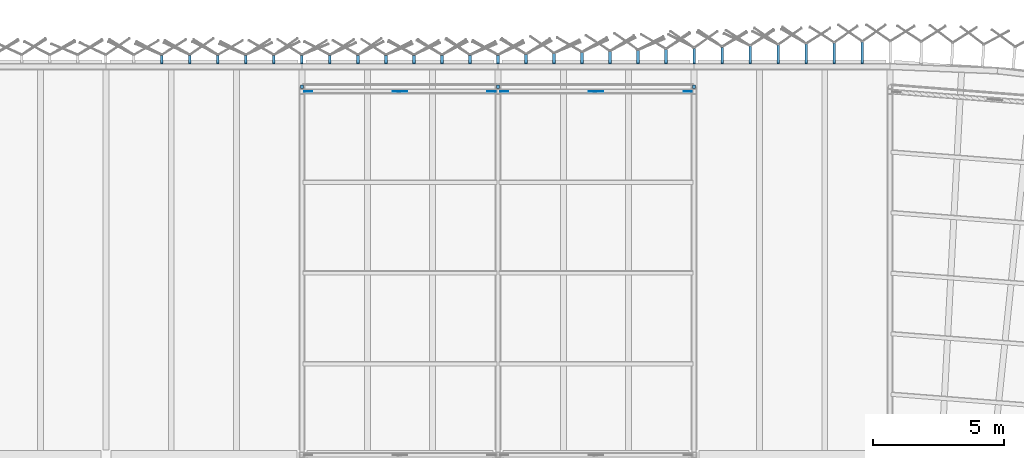
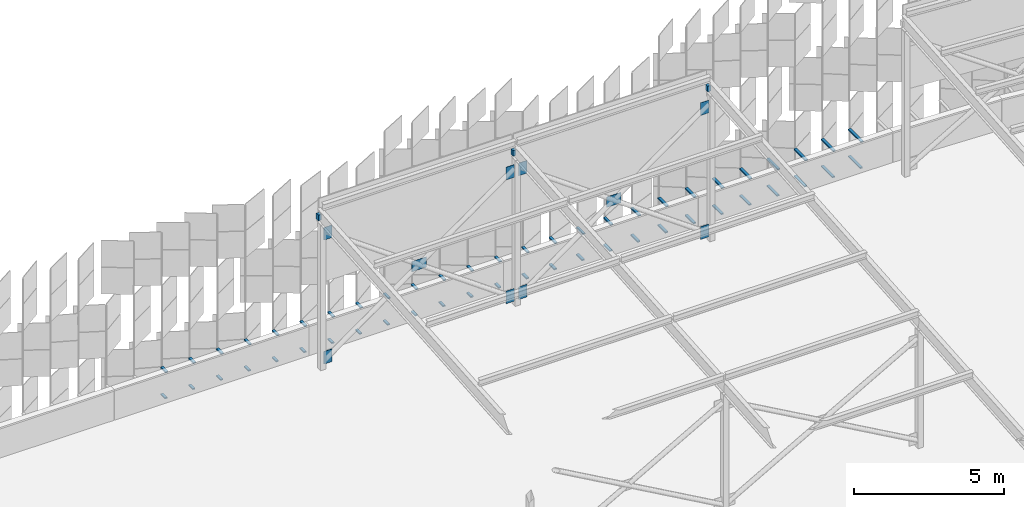
# One storey, part 456 of 483: 65 discrete accessories.
"""IFC4 building model written with IfcOpenShell, lengths in metres."""

from ifc_helpers import new_model, si_unit, direction, frame, origin, origin_2d, place, context, subcontext, project, spatial, polyline, rectangle, outline, extrude, material, layer, layer_set, type_object, element, save


model = new_model("IFC4")

# Units and contexts
model_context = context("Model", 3, precision=1e-05, world=origin(), true_north=direction((0.0, 1.0)))
body_context = subcontext(model_context, "Body", "Model", "MODEL_VIEW")
ifc_project = project(units=[si_unit("LENGTHUNIT", "METRE"), si_unit("AREAUNIT", "SQUARE_METRE"), si_unit("VOLUMEUNIT", "CUBIC_METRE"), si_unit("PLANEANGLEUNIT", "RADIAN"), si_unit("MASSUNIT", "GRAM", prefix="KILO")], contexts=[model_context])

# Site, building, storey
site_placement = place(None, origin())
site = spatial("IfcSite", under=ifc_project, at=site_placement, CompositionType="ELEMENT")
building_placement = place(site_placement, origin())
building = spatial("IfcBuilding", under=site, at=building_placement, Name="Parallax Yard Mobility Hub", CompositionType="ELEMENT")
storey_placement = place(building_placement, frame((0.0, 0.0, 13.199951171875)))
storey = spatial("IfcBuildingStorey", under=building, at=storey_placement, Name="L04", CompositionType="ELEMENT", Elevation=13.199951171875)

# Discrete accessories
ifc_material_1 = material(Name="Steel ASTM A36", Category="steel")
ifc_layer = layer(ifc_material_1, 0.011962890625)
ifc_layer_set = layer_set([ifc_layer], Name="Gusset plate PL12")
discrete_accessory_type_1 = type_object("IfcDiscreteAccessoryType", Name="Gusset plate PL12", PredefinedType="BRACKET", material=ifc_layer_set)
discrete_accessory_1_placement = place(storey_placement, frame((0.0, 0.0, 0.150146484375)))
element("IfcDiscreteAccessory", 1, at=discrete_accessory_1_placement, inside=storey, type_object=discrete_accessory_type_1, Name="Gusset plate PL12 RC bay N-C bay 1 foot on post N-C1", PredefinedType="BRACKET", context=body_context, shape_type="SweptSolid", body=[
    extrude(outline(polyline([(150.08154296875, 141.39404296875), (150.401611328125, 141.39404296875), (150.401611328125, 141.406005859375), (150.08154296875, 141.406005859375), (150.08154296875, 141.39404296875)])), origin(), (0.0, 0.0, 1.0), 0.515380859375),
])
discrete_accessory_2_placement = place(storey_placement, frame((0.0, 0.0, 5.196533203125)))
element("IfcDiscreteAccessory", 2, at=discrete_accessory_2_placement, inside=storey, type_object=discrete_accessory_type_1, Name="Gusset plate PL12 RC bay N-C bay 1 head on post N-C2", PredefinedType="BRACKET", context=body_context, shape_type="SweptSolid", body=[
    extrude(outline(polyline([(157.41845703125, 141.406005859375), (157.098388671875, 141.406005859375), (157.098388671875, 141.39404296875), (157.41845703125, 141.39404296875), (157.41845703125, 141.406005859375)])), origin(), (0.0, 0.0, 1.0), 0.515625),
])
discrete_accessory_3_placement = place(storey_placement, frame((0.0, 0.0, 0.150146484375)))
element("IfcDiscreteAccessory", 3, at=discrete_accessory_3_placement, inside=storey, type_object=discrete_accessory_type_1, Name="Gusset plate PL12 RC bay N-C bay 1 foot on post N-C2", PredefinedType="BRACKET", context=body_context, shape_type="SweptSolid", body=[
    extrude(outline(polyline([(157.41845703125, 141.406005859375), (157.098388671875, 141.406005859375), (157.098388671875, 141.39404296875), (157.41845703125, 141.39404296875), (157.41845703125, 141.406005859375)])), origin(), (0.0, 0.0, 1.0), 0.515380859375),
])
discrete_accessory_4_placement = place(storey_placement, frame((0.0, 0.0, 5.196533203125)))
element("IfcDiscreteAccessory", 4, at=discrete_accessory_4_placement, inside=storey, type_object=discrete_accessory_type_1, Name="Gusset plate PL12 RC bay N-C bay 1 head on post N-C1", PredefinedType="BRACKET", context=body_context, shape_type="SweptSolid", body=[
    extrude(outline(polyline([(150.08154296875, 141.39404296875), (150.401611328125, 141.39404296875), (150.401611328125, 141.406005859375), (150.08154296875, 141.406005859375), (150.08154296875, 141.39404296875)])), origin(), (0.0, 0.0, 1.0), 0.515625),
])
discrete_accessory_5_placement = place(storey_placement, frame((0.0, 0.0, 2.720947265625)))
element("IfcDiscreteAccessory", 5, at=discrete_accessory_5_placement, inside=storey, type_object=discrete_accessory_type_1, Name="Gusset plate PL12 RC bay N-C bay 1 crossing node", PredefinedType="BRACKET", context=body_context, shape_type="SweptSolid", body=[
    extrude(outline(polyline([(153.469970703125, 141.39404296875), (154.030029296875, 141.39404296875), (154.030029296875, 141.406005859375), (153.469970703125, 141.406005859375), (153.469970703125, 141.39404296875)])), origin(), (0.0, 0.0, 1.0), 0.420166015625),
])
discrete_accessory_6_placement = place(storey_placement, frame((0.0, 0.0, 0.150146484375)))
element("IfcDiscreteAccessory", 6, at=discrete_accessory_6_placement, inside=storey, type_object=discrete_accessory_type_1, Name="Gusset plate PL12 RC bay N-C bay 2 foot on post N-C2", PredefinedType="BRACKET", context=body_context, shape_type="SweptSolid", body=[
    extrude(outline(polyline([(157.58154296875, 141.39404296875), (157.901611328125, 141.39404296875), (157.901611328125, 141.406005859375), (157.58154296875, 141.406005859375), (157.58154296875, 141.39404296875)])), origin(), (0.0, 0.0, 1.0), 0.515380859375),
])
discrete_accessory_7_placement = place(storey_placement, frame((0.0, 0.0, 5.196533203125)))
element("IfcDiscreteAccessory", 7, at=discrete_accessory_7_placement, inside=storey, type_object=discrete_accessory_type_1, Name="Gusset plate PL12 RC bay N-C bay 2 head on post N-C3", PredefinedType="BRACKET", context=body_context, shape_type="SweptSolid", body=[
    extrude(outline(polyline([(164.91845703125, 141.406005859375), (164.598388671875, 141.406005859375), (164.598388671875, 141.39404296875), (164.91845703125, 141.39404296875), (164.91845703125, 141.406005859375)])), origin(), (0.0, 0.0, 1.0), 0.515625),
])
discrete_accessory_8_placement = place(storey_placement, frame((0.0, 0.0, 0.150146484375)))
element("IfcDiscreteAccessory", 8, at=discrete_accessory_8_placement, inside=storey, type_object=discrete_accessory_type_1, Name="Gusset plate PL12 RC bay N-C bay 2 foot on post N-C3", PredefinedType="BRACKET", context=body_context, shape_type="SweptSolid", body=[
    extrude(outline(polyline([(164.91845703125, 141.406005859375), (164.598388671875, 141.406005859375), (164.598388671875, 141.39404296875), (164.91845703125, 141.39404296875), (164.91845703125, 141.406005859375)])), origin(), (0.0, 0.0, 1.0), 0.515380859375),
])
discrete_accessory_9_placement = place(storey_placement, frame((0.0, 0.0, 5.196533203125)))
element("IfcDiscreteAccessory", 9, at=discrete_accessory_9_placement, inside=storey, type_object=discrete_accessory_type_1, Name="Gusset plate PL12 RC bay N-C bay 2 head on post N-C2", PredefinedType="BRACKET", context=body_context, shape_type="SweptSolid", body=[
    extrude(outline(polyline([(157.58154296875, 141.39404296875), (157.901611328125, 141.39404296875), (157.901611328125, 141.406005859375), (157.58154296875, 141.406005859375), (157.58154296875, 141.39404296875)])), origin(), (0.0, 0.0, 1.0), 0.515625),
])
discrete_accessory_10_placement = place(storey_placement, frame((0.0, 0.0, 2.720947265625)))
element("IfcDiscreteAccessory", 10, at=discrete_accessory_10_placement, inside=storey, type_object=discrete_accessory_type_1, Name="Gusset plate PL12 RC bay N-C bay 2 crossing node", PredefinedType="BRACKET", context=body_context, shape_type="SweptSolid", body=[
    extrude(outline(polyline([(160.969970703125, 141.39404296875), (161.530029296875, 141.39404296875), (161.530029296875, 141.406005859375), (160.969970703125, 141.406005859375), (160.969970703125, 141.39404296875)])), origin(), (0.0, 0.0, 1.0), 0.420166015625),
])
ifc_material_2 = material(Name="Steel ASTM A36, hot-dip galvanised", Category="steel")
discrete_accessory_type_2 = type_object("IfcDiscreteAccessoryType", Name="Hinge bracket plate 100x50", PredefinedType="BRACKET", material=ifc_material_2)
discrete_accessory_11_placement = place(storey_placement, frame((171.430419921875, 142.8974609375, -0.02490234375), z_axis=(0.0, 0.0, 1.0), x_axis=(0.0, 1.0, 0.0)))
element("IfcDiscreteAccessory", 11, at=discrete_accessory_11_placement, inside=storey, type_object=discrete_accessory_type_2, Name="Hinge bracket plate bay 51.2 level L04", PredefinedType="BRACKET", context=body_context, shape_type="SweptSolid", body=[
    extrude(rectangle(XDim=0.7958984375, YDim=0.10009765625, at=origin_2d()), origin(), (0.0, 0.0, 1.0), 0.050048828125),
])
discrete_accessory_12_placement = place(storey_placement, frame((171.430419921875, 142.87451171875, 1.06982421875), z_axis=(0.0, 0.0, 1.0), x_axis=(0.0, 1.0, 0.0)))
element("IfcDiscreteAccessory", 12, at=discrete_accessory_12_placement, inside=storey, type_object=discrete_accessory_type_2, Name="Hinge bracket plate bay 51.2 level L04", PredefinedType="BRACKET", context=body_context, shape_type="SweptSolid", body=[
    extrude(rectangle(XDim=0.841796875, YDim=0.10009765625, at=origin_2d()), origin(), (0.0, 0.0, 1.0), 0.050048828125),
])
discrete_accessory_13_placement = place(storey_placement, frame((170.35888671875, 142.87744140625, -0.02490234375), z_axis=(0.0, 0.0, 1.0), x_axis=(0.0, 1.0, 0.0)))
element("IfcDiscreteAccessory", 13, at=discrete_accessory_13_placement, inside=storey, type_object=discrete_accessory_type_2, Name="Hinge bracket plate bay 51.3 level L04", PredefinedType="BRACKET", context=body_context, shape_type="SweptSolid", body=[
    extrude(rectangle(XDim=0.755859375, YDim=0.10009765625, at=origin_2d()), origin(), (0.0, 0.0, 1.0), 0.050048828125),
])
discrete_accessory_14_placement = place(storey_placement, frame((170.35888671875, 142.8544921875, 1.06982421875), z_axis=(0.0, 0.0, 1.0), x_axis=(0.0, 1.0, 0.0)))
element("IfcDiscreteAccessory", 14, at=discrete_accessory_14_placement, inside=storey, type_object=discrete_accessory_type_2, Name="Hinge bracket plate bay 51.3 level L04", PredefinedType="BRACKET", context=body_context, shape_type="SweptSolid", body=[
    extrude(rectangle(XDim=0.8017578125, YDim=0.10009765625, at=origin_2d()), origin(), (0.0, 0.0, 1.0), 0.050048828125),
])
discrete_accessory_15_placement = place(storey_placement, frame((169.287109375, 142.857421875, -0.02490234375), z_axis=(0.0, 0.0, 1.0), x_axis=(0.0, 1.0, 0.0)))
element("IfcDiscreteAccessory", 15, at=discrete_accessory_15_placement, inside=storey, type_object=discrete_accessory_type_2, Name="Hinge bracket plate bay 51.4 level L04", PredefinedType="BRACKET", context=body_context, shape_type="SweptSolid", body=[
    extrude(rectangle(XDim=0.7158203125, YDim=0.10009765625, at=origin_2d()), origin(), (0.0, 0.0, 1.0), 0.050048828125),
])
discrete_accessory_16_placement = place(storey_placement, frame((169.287109375, 142.83447265625, 1.06982421875), z_axis=(0.0, 0.0, 1.0), x_axis=(0.0, 1.0, 0.0)))
element("IfcDiscreteAccessory", 16, at=discrete_accessory_16_placement, inside=storey, type_object=discrete_accessory_type_2, Name="Hinge bracket plate bay 51.4 level L04", PredefinedType="BRACKET", context=body_context, shape_type="SweptSolid", body=[
    extrude(rectangle(XDim=0.76171875, YDim=0.10009765625, at=origin_2d()), origin(), (0.0, 0.0, 1.0), 0.050048828125),
])
discrete_accessory_17_placement = place(storey_placement, frame((168.215576171875, 142.83740234375, -0.02490234375), z_axis=(0.0, 0.0, 1.0), x_axis=(0.0, 1.0, 0.0)))
element("IfcDiscreteAccessory", 17, at=discrete_accessory_17_placement, inside=storey, type_object=discrete_accessory_type_2, Name="Hinge bracket plate bay 51.5 level L04", PredefinedType="BRACKET", context=body_context, shape_type="SweptSolid", body=[
    extrude(rectangle(XDim=0.67578125, YDim=0.10009765625, at=origin_2d()), origin(), (0.0, 0.0, 1.0), 0.050048828125),
])
discrete_accessory_18_placement = place(storey_placement, frame((168.215576171875, 142.814208984375, 1.06982421875), z_axis=(0.0, 0.0, 1.0), x_axis=(0.0, 1.0, 0.0)))
element("IfcDiscreteAccessory", 18, at=discrete_accessory_18_placement, inside=storey, type_object=discrete_accessory_type_2, Name="Hinge bracket plate bay 51.5 level L04", PredefinedType="BRACKET", context=body_context, shape_type="SweptSolid", body=[
    extrude(rectangle(XDim=0.7216796875, YDim=0.10009765625, at=origin_2d()), origin(), (0.0, 0.0, 1.0), 0.050048828125),
])
discrete_accessory_19_placement = place(storey_placement, frame((167.14404296875, 142.8173828125, -0.02490234375), z_axis=(0.0, 0.0, 1.0), x_axis=(0.0, 1.0, 0.0)))
element("IfcDiscreteAccessory", 19, at=discrete_accessory_19_placement, inside=storey, type_object=discrete_accessory_type_2, Name="Hinge bracket plate bay 51.6 level L04", PredefinedType="BRACKET", context=body_context, shape_type="SweptSolid", body=[
    extrude(rectangle(XDim=0.635498046875, YDim=0.10009765625, at=origin_2d()), origin(), (0.0, 0.0, 1.0), 0.050048828125),
])
discrete_accessory_20_placement = place(storey_placement, frame((167.14404296875, 142.794189453125, 1.06982421875), z_axis=(0.0, 0.0, 1.0), x_axis=(0.0, 1.0, 0.0)))
element("IfcDiscreteAccessory", 20, at=discrete_accessory_20_placement, inside=storey, type_object=discrete_accessory_type_2, Name="Hinge bracket plate bay 51.6 level L04", PredefinedType="BRACKET", context=body_context, shape_type="SweptSolid", body=[
    extrude(rectangle(XDim=0.681640625, YDim=0.10009765625, at=origin_2d()), origin(), (0.0, 0.0, 1.0), 0.050048828125),
])
discrete_accessory_21_placement = place(storey_placement, frame((166.072509765625, 142.797119140625, -0.02490234375), z_axis=(0.0, 0.0, 1.0), x_axis=(0.0, 1.0, 0.0)))
element("IfcDiscreteAccessory", 21, at=discrete_accessory_21_placement, inside=storey, type_object=discrete_accessory_type_2, Name="Hinge bracket plate bay 51.7 level L04", PredefinedType="BRACKET", context=body_context, shape_type="SweptSolid", body=[
    extrude(rectangle(XDim=0.595458984375, YDim=0.10009765625, at=origin_2d()), origin(), (0.0, 0.0, 1.0), 0.050048828125),
])
discrete_accessory_22_placement = place(storey_placement, frame((166.072509765625, 142.774169921875, 1.06982421875), z_axis=(0.0, 0.0, 1.0), x_axis=(0.0, 1.0, 0.0)))
element("IfcDiscreteAccessory", 22, at=discrete_accessory_22_placement, inside=storey, type_object=discrete_accessory_type_2, Name="Hinge bracket plate bay 51.7 level L04", PredefinedType="BRACKET", context=body_context, shape_type="SweptSolid", body=[
    extrude(rectangle(XDim=0.6416015625, YDim=0.10009765625, at=origin_2d()), origin(), (0.0, 0.0, 1.0), 0.050048828125),
])
discrete_accessory_23_placement = place(storey_placement, frame((165.0009765625, 142.777099609375, -0.02490234375), z_axis=(0.0, 0.0, 1.0), x_axis=(0.0, 1.0, 0.0)))
element("IfcDiscreteAccessory", 23, at=discrete_accessory_23_placement, inside=storey, type_object=discrete_accessory_type_2, Name="Hinge bracket plate bay 52.1 level L04", PredefinedType="BRACKET", context=body_context, shape_type="SweptSolid", body=[
    extrude(rectangle(XDim=0.555419921875, YDim=0.10009765625, at=origin_2d()), origin(), (0.0, 0.0, 1.0), 0.050048828125),
])
discrete_accessory_24_placement = place(storey_placement, frame((165.0009765625, 142.754150390625, 1.06982421875), z_axis=(0.0, 0.0, 1.0), x_axis=(0.0, 1.0, 0.0)))
element("IfcDiscreteAccessory", 24, at=discrete_accessory_24_placement, inside=storey, type_object=discrete_accessory_type_2, Name="Hinge bracket plate bay 52.1 level L04", PredefinedType="BRACKET", context=body_context, shape_type="SweptSolid", body=[
    extrude(rectangle(XDim=0.601318359375, YDim=0.10009765625, at=origin_2d()), origin(), (0.0, 0.0, 1.0), 0.050048828125),
])
discrete_accessory_25_placement = place(storey_placement, frame((163.929443359375, 142.757080078125, -0.02490234375), z_axis=(0.0, 0.0, 1.0), x_axis=(0.0, 1.0, 0.0)))
element("IfcDiscreteAccessory", 25, at=discrete_accessory_25_placement, inside=storey, type_object=discrete_accessory_type_2, Name="Hinge bracket plate bay 52.2 level L04", PredefinedType="BRACKET", context=body_context, shape_type="SweptSolid", body=[
    extrude(rectangle(XDim=0.515380859375, YDim=0.10009765625, at=origin_2d()), origin(), (0.0, 0.0, 1.0), 0.050048828125),
])
discrete_accessory_26_placement = place(storey_placement, frame((163.929443359375, 142.734130859375, 1.06982421875), z_axis=(0.0, 0.0, 1.0), x_axis=(0.0, 1.0, 0.0)))
element("IfcDiscreteAccessory", 26, at=discrete_accessory_26_placement, inside=storey, type_object=discrete_accessory_type_2, Name="Hinge bracket plate bay 52.2 level L04", PredefinedType="BRACKET", context=body_context, shape_type="SweptSolid", body=[
    extrude(rectangle(XDim=0.561279296875, YDim=0.10009765625, at=origin_2d()), origin(), (0.0, 0.0, 1.0), 0.050048828125),
])
discrete_accessory_27_placement = place(storey_placement, frame((162.85791015625, 142.737060546875, -0.02490234375), z_axis=(0.0, 0.0, 1.0), x_axis=(0.0, 1.0, 0.0)))
element("IfcDiscreteAccessory", 27, at=discrete_accessory_27_placement, inside=storey, type_object=discrete_accessory_type_2, Name="Hinge bracket plate bay 52.3 level L04", PredefinedType="BRACKET", context=body_context, shape_type="SweptSolid", body=[
    extrude(rectangle(XDim=0.47509765625, YDim=0.10009765625, at=origin_2d()), origin(), (0.0, 0.0, 1.0), 0.050048828125),
])
discrete_accessory_28_placement = place(storey_placement, frame((162.85791015625, 142.714111328125, 1.06982421875), z_axis=(0.0, 0.0, 1.0), x_axis=(0.0, 1.0, 0.0)))
element("IfcDiscreteAccessory", 28, at=discrete_accessory_28_placement, inside=storey, type_object=discrete_accessory_type_2, Name="Hinge bracket plate bay 52.3 level L04", PredefinedType="BRACKET", context=body_context, shape_type="SweptSolid", body=[
    extrude(rectangle(XDim=0.521240234375, YDim=0.10009765625, at=origin_2d()), origin(), (0.0, 0.0, 1.0), 0.050048828125),
])
discrete_accessory_29_placement = place(storey_placement, frame((161.786376953125, 142.717041015625, -0.02490234375), z_axis=(0.0, 0.0, 1.0), x_axis=(0.0, 1.0, 0.0)))
element("IfcDiscreteAccessory", 29, at=discrete_accessory_29_placement, inside=storey, type_object=discrete_accessory_type_2, Name="Hinge bracket plate bay 52.4 level L04", PredefinedType="BRACKET", context=body_context, shape_type="SweptSolid", body=[
    extrude(rectangle(XDim=0.43505859375, YDim=0.10009765625, at=origin_2d()), origin(), (0.0, 0.0, 1.0), 0.050048828125),
])
discrete_accessory_30_placement = place(storey_placement, frame((161.786376953125, 142.694091796875, 1.06982421875), z_axis=(0.0, 0.0, 1.0), x_axis=(0.0, 1.0, 0.0)))
element("IfcDiscreteAccessory", 30, at=discrete_accessory_30_placement, inside=storey, type_object=discrete_accessory_type_2, Name="Hinge bracket plate bay 52.4 level L04", PredefinedType="BRACKET", context=body_context, shape_type="SweptSolid", body=[
    extrude(rectangle(XDim=0.481201171875, YDim=0.10009765625, at=origin_2d()), origin(), (0.0, 0.0, 1.0), 0.050048828125),
])
discrete_accessory_31_placement = place(storey_placement, frame((160.71484375, 142.697021484375, -0.02490234375), z_axis=(0.0, 0.0, 1.0), x_axis=(0.0, 1.0, 0.0)))
element("IfcDiscreteAccessory", 31, at=discrete_accessory_31_placement, inside=storey, type_object=discrete_accessory_type_2, Name="Hinge bracket plate bay 52.5 level L04", PredefinedType="BRACKET", context=body_context, shape_type="SweptSolid", body=[
    extrude(rectangle(XDim=0.39501953125, YDim=0.10009765625, at=origin_2d()), origin(), (0.0, 0.0, 1.0), 0.050048828125),
])
discrete_accessory_32_placement = place(storey_placement, frame((160.71484375, 142.674072265625, 1.06982421875), z_axis=(0.0, 0.0, 1.0), x_axis=(0.0, 1.0, 0.0)))
element("IfcDiscreteAccessory", 32, at=discrete_accessory_32_placement, inside=storey, type_object=discrete_accessory_type_2, Name="Hinge bracket plate bay 52.5 level L04", PredefinedType="BRACKET", context=body_context, shape_type="SweptSolid", body=[
    extrude(rectangle(XDim=0.441162109375, YDim=0.10009765625, at=origin_2d()), origin(), (0.0, 0.0, 1.0), 0.050048828125),
])
discrete_accessory_33_placement = place(storey_placement, frame((159.643310546875, 142.677001953125, -0.02490234375), z_axis=(0.0, 0.0, 1.0), x_axis=(0.0, 1.0, 0.0)))
element("IfcDiscreteAccessory", 33, at=discrete_accessory_33_placement, inside=storey, type_object=discrete_accessory_type_2, Name="Hinge bracket plate bay 52.6 level L04", PredefinedType="BRACKET", context=body_context, shape_type="SweptSolid", body=[
    extrude(rectangle(XDim=0.35498046875, YDim=0.10009765625, at=origin_2d()), origin(), (0.0, 0.0, 1.0), 0.050048828125),
])
discrete_accessory_34_placement = place(storey_placement, frame((159.643310546875, 142.654052734375, 1.06982421875), z_axis=(0.0, 0.0, 1.0), x_axis=(0.0, 1.0, 0.0)))
element("IfcDiscreteAccessory", 34, at=discrete_accessory_34_placement, inside=storey, type_object=discrete_accessory_type_2, Name="Hinge bracket plate bay 52.6 level L04", PredefinedType="BRACKET", context=body_context, shape_type="SweptSolid", body=[
    extrude(rectangle(XDim=0.40087890625, YDim=0.10009765625, at=origin_2d()), origin(), (0.0, 0.0, 1.0), 0.050048828125),
])
discrete_accessory_35_placement = place(storey_placement, frame((158.571533203125, 142.656982421875, -0.02490234375), z_axis=(0.0, 0.0, 1.0), x_axis=(0.0, 1.0, 0.0)))
element("IfcDiscreteAccessory", 35, at=discrete_accessory_35_placement, inside=storey, type_object=discrete_accessory_type_2, Name="Hinge bracket plate bay 52.7 level L04", PredefinedType="BRACKET", context=body_context, shape_type="SweptSolid", body=[
    extrude(rectangle(XDim=0.31494140625, YDim=0.10009765625, at=origin_2d()), origin(), (0.0, 0.0, 1.0), 0.050048828125),
])
discrete_accessory_36_placement = place(storey_placement, frame((158.571533203125, 142.6337890625, 1.06982421875), z_axis=(0.0, 0.0, 1.0), x_axis=(0.0, 1.0, 0.0)))
element("IfcDiscreteAccessory", 36, at=discrete_accessory_36_placement, inside=storey, type_object=discrete_accessory_type_2, Name="Hinge bracket plate bay 52.7 level L04", PredefinedType="BRACKET", context=body_context, shape_type="SweptSolid", body=[
    extrude(rectangle(XDim=0.36083984375, YDim=0.10009765625, at=origin_2d()), origin(), (0.0, 0.0, 1.0), 0.050048828125),
])
discrete_accessory_37_placement = place(storey_placement, frame((157.5, 142.6416015625, -0.02490234375), z_axis=(0.0, 0.0, 1.0), x_axis=(0.0, 1.0, 0.0)))
element("IfcDiscreteAccessory", 37, at=discrete_accessory_37_placement, inside=storey, type_object=discrete_accessory_type_2, Name="Hinge bracket plate bay 53.1 level L04", PredefinedType="BRACKET", context=body_context, shape_type="SweptSolid", body=[
    extrude(rectangle(XDim=0.2841796875, YDim=0.10009765625, at=origin_2d()), origin(), (0.0, 0.0, 1.0), 0.050048828125),
])
discrete_accessory_38_placement = place(storey_placement, frame((157.5, 142.61865234375, 1.06982421875), z_axis=(0.0, 0.0, 1.0), x_axis=(0.0, 1.0, 0.0)))
element("IfcDiscreteAccessory", 38, at=discrete_accessory_38_placement, inside=storey, type_object=discrete_accessory_type_2, Name="Hinge bracket plate bay 53.1 level L04", PredefinedType="BRACKET", context=body_context, shape_type="SweptSolid", body=[
    extrude(rectangle(XDim=0.330078125, YDim=0.10009765625, at=origin_2d()), origin(), (0.0, 0.0, 1.0), 0.050048828125),
])
discrete_accessory_39_placement = place(storey_placement, frame((156.428466796875, 142.6416015625, -0.02490234375), z_axis=(0.0, 0.0, 1.0), x_axis=(0.0, 1.0, 0.0)))
element("IfcDiscreteAccessory", 39, at=discrete_accessory_39_placement, inside=storey, type_object=discrete_accessory_type_2, Name="Hinge bracket plate bay 53.2 level L04", PredefinedType="BRACKET", context=body_context, shape_type="SweptSolid", body=[
    extrude(rectangle(XDim=0.2841796875, YDim=0.10009765625, at=origin_2d()), origin(), (0.0, 0.0, 1.0), 0.050048828125),
])
discrete_accessory_40_placement = place(storey_placement, frame((156.428466796875, 142.61865234375, 1.06982421875), z_axis=(0.0, 0.0, 1.0), x_axis=(0.0, 1.0, 0.0)))
element("IfcDiscreteAccessory", 40, at=discrete_accessory_40_placement, inside=storey, type_object=discrete_accessory_type_2, Name="Hinge bracket plate bay 53.2 level L04", PredefinedType="BRACKET", context=body_context, shape_type="SweptSolid", body=[
    extrude(rectangle(XDim=0.330078125, YDim=0.10009765625, at=origin_2d()), origin(), (0.0, 0.0, 1.0), 0.050048828125),
])
discrete_accessory_41_placement = place(storey_placement, frame((155.35693359375, 142.6416015625, -0.02490234375), z_axis=(0.0, 0.0, 1.0), x_axis=(0.0, 1.0, 0.0)))
element("IfcDiscreteAccessory", 41, at=discrete_accessory_41_placement, inside=storey, type_object=discrete_accessory_type_2, Name="Hinge bracket plate bay 53.3 level L04", PredefinedType="BRACKET", context=body_context, shape_type="SweptSolid", body=[
    extrude(rectangle(XDim=0.2841796875, YDim=0.10009765625, at=origin_2d()), origin(), (0.0, 0.0, 1.0), 0.050048828125),
])
discrete_accessory_42_placement = place(storey_placement, frame((155.35693359375, 142.61865234375, 1.06982421875), z_axis=(0.0, 0.0, 1.0), x_axis=(0.0, 1.0, 0.0)))
element("IfcDiscreteAccessory", 42, at=discrete_accessory_42_placement, inside=storey, type_object=discrete_accessory_type_2, Name="Hinge bracket plate bay 53.3 level L04", PredefinedType="BRACKET", context=body_context, shape_type="SweptSolid", body=[
    extrude(rectangle(XDim=0.330078125, YDim=0.10009765625, at=origin_2d()), origin(), (0.0, 0.0, 1.0), 0.050048828125),
])
discrete_accessory_43_placement = place(storey_placement, frame((154.285400390625, 142.6416015625, -0.02490234375), z_axis=(0.0, 0.0, 1.0), x_axis=(0.0, 1.0, 0.0)))
element("IfcDiscreteAccessory", 43, at=discrete_accessory_43_placement, inside=storey, type_object=discrete_accessory_type_2, Name="Hinge bracket plate bay 53.4 level L04", PredefinedType="BRACKET", context=body_context, shape_type="SweptSolid", body=[
    extrude(rectangle(XDim=0.2841796875, YDim=0.10009765625, at=origin_2d()), origin(), (0.0, 0.0, 1.0), 0.050048828125),
])
discrete_accessory_44_placement = place(storey_placement, frame((154.285400390625, 142.61865234375, 1.06982421875), z_axis=(0.0, 0.0, 1.0), x_axis=(0.0, 1.0, 0.0)))
element("IfcDiscreteAccessory", 44, at=discrete_accessory_44_placement, inside=storey, type_object=discrete_accessory_type_2, Name="Hinge bracket plate bay 53.4 level L04", PredefinedType="BRACKET", context=body_context, shape_type="SweptSolid", body=[
    extrude(rectangle(XDim=0.330078125, YDim=0.10009765625, at=origin_2d()), origin(), (0.0, 0.0, 1.0), 0.050048828125),
])
discrete_accessory_45_placement = place(storey_placement, frame((153.2138671875, 142.6416015625, -0.02490234375), z_axis=(0.0, 0.0, 1.0), x_axis=(0.0, 1.0, 0.0)))
element("IfcDiscreteAccessory", 45, at=discrete_accessory_45_placement, inside=storey, type_object=discrete_accessory_type_2, Name="Hinge bracket plate bay 53.5 level L04", PredefinedType="BRACKET", context=body_context, shape_type="SweptSolid", body=[
    extrude(rectangle(XDim=0.2841796875, YDim=0.10009765625, at=origin_2d()), origin(), (0.0, 0.0, 1.0), 0.050048828125),
])
discrete_accessory_46_placement = place(storey_placement, frame((153.2138671875, 142.61865234375, 1.06982421875), z_axis=(0.0, 0.0, 1.0), x_axis=(0.0, 1.0, 0.0)))
element("IfcDiscreteAccessory", 46, at=discrete_accessory_46_placement, inside=storey, type_object=discrete_accessory_type_2, Name="Hinge bracket plate bay 53.5 level L04", PredefinedType="BRACKET", context=body_context, shape_type="SweptSolid", body=[
    extrude(rectangle(XDim=0.330078125, YDim=0.10009765625, at=origin_2d()), origin(), (0.0, 0.0, 1.0), 0.050048828125),
])
discrete_accessory_47_placement = place(storey_placement, frame((152.142333984375, 142.6416015625, -0.02490234375), z_axis=(0.0, 0.0, 1.0), x_axis=(0.0, 1.0, 0.0)))
element("IfcDiscreteAccessory", 47, at=discrete_accessory_47_placement, inside=storey, type_object=discrete_accessory_type_2, Name="Hinge bracket plate bay 53.6 level L04", PredefinedType="BRACKET", context=body_context, shape_type="SweptSolid", body=[
    extrude(rectangle(XDim=0.2841796875, YDim=0.10009765625, at=origin_2d()), origin(), (0.0, 0.0, 1.0), 0.050048828125),
])
discrete_accessory_48_placement = place(storey_placement, frame((152.142333984375, 142.61865234375, 1.06982421875), z_axis=(0.0, 0.0, 1.0), x_axis=(0.0, 1.0, 0.0)))
element("IfcDiscreteAccessory", 48, at=discrete_accessory_48_placement, inside=storey, type_object=discrete_accessory_type_2, Name="Hinge bracket plate bay 53.6 level L04", PredefinedType="BRACKET", context=body_context, shape_type="SweptSolid", body=[
    extrude(rectangle(XDim=0.330078125, YDim=0.10009765625, at=origin_2d()), origin(), (0.0, 0.0, 1.0), 0.050048828125),
])
discrete_accessory_49_placement = place(storey_placement, frame((151.07080078125, 142.6416015625, -0.02490234375), z_axis=(0.0, 0.0, 1.0), x_axis=(0.0, 1.0, 0.0)))
element("IfcDiscreteAccessory", 49, at=discrete_accessory_49_placement, inside=storey, type_object=discrete_accessory_type_2, Name="Hinge bracket plate bay 53.7 level L04", PredefinedType="BRACKET", context=body_context, shape_type="SweptSolid", body=[
    extrude(rectangle(XDim=0.2841796875, YDim=0.10009765625, at=origin_2d()), origin(), (0.0, 0.0, 1.0), 0.050048828125),
])
discrete_accessory_50_placement = place(storey_placement, frame((151.07080078125, 142.61865234375, 1.06982421875), z_axis=(0.0, 0.0, 1.0), x_axis=(0.0, 1.0, 0.0)))
element("IfcDiscreteAccessory", 50, at=discrete_accessory_50_placement, inside=storey, type_object=discrete_accessory_type_2, Name="Hinge bracket plate bay 53.7 level L04", PredefinedType="BRACKET", context=body_context, shape_type="SweptSolid", body=[
    extrude(rectangle(XDim=0.330078125, YDim=0.10009765625, at=origin_2d()), origin(), (0.0, 0.0, 1.0), 0.050048828125),
])
discrete_accessory_51_placement = place(storey_placement, frame((149.999267578125, 142.6416015625, -0.02490234375), z_axis=(0.0, 0.0, 1.0), x_axis=(0.0, 1.0, 0.0)))
element("IfcDiscreteAccessory", 51, at=discrete_accessory_51_placement, inside=storey, type_object=discrete_accessory_type_2, Name="Hinge bracket plate bay 54.1 level L04", PredefinedType="BRACKET", context=body_context, shape_type="SweptSolid", body=[
    extrude(rectangle(XDim=0.2841796875, YDim=0.10009765625, at=origin_2d()), origin(), (0.0, 0.0, 1.0), 0.050048828125),
])
discrete_accessory_52_placement = place(storey_placement, frame((149.999267578125, 142.61865234375, 1.06982421875), z_axis=(0.0, 0.0, 1.0), x_axis=(0.0, 1.0, 0.0)))
element("IfcDiscreteAccessory", 52, at=discrete_accessory_52_placement, inside=storey, type_object=discrete_accessory_type_2, Name="Hinge bracket plate bay 54.1 level L04", PredefinedType="BRACKET", context=body_context, shape_type="SweptSolid", body=[
    extrude(rectangle(XDim=0.330078125, YDim=0.10009765625, at=origin_2d()), origin(), (0.0, 0.0, 1.0), 0.050048828125),
])
discrete_accessory_53_placement = place(storey_placement, frame((148.927490234375, 142.6416015625, -0.02490234375), z_axis=(0.0, 0.0, 1.0), x_axis=(0.0, 1.0, 0.0)))
element("IfcDiscreteAccessory", 53, at=discrete_accessory_53_placement, inside=storey, type_object=discrete_accessory_type_2, Name="Hinge bracket plate bay 54.2 level L04", PredefinedType="BRACKET", context=body_context, shape_type="SweptSolid", body=[
    extrude(rectangle(XDim=0.2841796875, YDim=0.10009765625, at=origin_2d()), origin(), (0.0, 0.0, 1.0), 0.050048828125),
])
discrete_accessory_54_placement = place(storey_placement, frame((148.927490234375, 142.61865234375, 1.06982421875), z_axis=(0.0, 0.0, 1.0), x_axis=(0.0, 1.0, 0.0)))
element("IfcDiscreteAccessory", 54, at=discrete_accessory_54_placement, inside=storey, type_object=discrete_accessory_type_2, Name="Hinge bracket plate bay 54.2 level L04", PredefinedType="BRACKET", context=body_context, shape_type="SweptSolid", body=[
    extrude(rectangle(XDim=0.330078125, YDim=0.10009765625, at=origin_2d()), origin(), (0.0, 0.0, 1.0), 0.050048828125),
])
discrete_accessory_55_placement = place(storey_placement, frame((147.856201171875, 142.6416015625, -0.02490234375), z_axis=(0.0, 0.0, 1.0), x_axis=(0.0, 1.0, 0.0)))
element("IfcDiscreteAccessory", 55, at=discrete_accessory_55_placement, inside=storey, type_object=discrete_accessory_type_2, Name="Hinge bracket plate bay 54.3 level L04", PredefinedType="BRACKET", context=body_context, shape_type="SweptSolid", body=[
    extrude(rectangle(XDim=0.2841796875, YDim=0.10009765625, at=origin_2d()), origin(), (0.0, 0.0, 1.0), 0.050048828125),
])
discrete_accessory_56_placement = place(storey_placement, frame((147.856201171875, 142.61865234375, 1.06982421875), z_axis=(0.0, 0.0, 1.0), x_axis=(0.0, 1.0, 0.0)))
element("IfcDiscreteAccessory", 56, at=discrete_accessory_56_placement, inside=storey, type_object=discrete_accessory_type_2, Name="Hinge bracket plate bay 54.3 level L04", PredefinedType="BRACKET", context=body_context, shape_type="SweptSolid", body=[
    extrude(rectangle(XDim=0.330078125, YDim=0.10009765625, at=origin_2d()), origin(), (0.0, 0.0, 1.0), 0.050048828125),
])
discrete_accessory_57_placement = place(storey_placement, frame((146.784423828125, 142.6416015625, -0.02490234375), z_axis=(0.0, 0.0, 1.0), x_axis=(0.0, 1.0, 0.0)))
element("IfcDiscreteAccessory", 57, at=discrete_accessory_57_placement, inside=storey, type_object=discrete_accessory_type_2, Name="Hinge bracket plate bay 54.4 level L04", PredefinedType="BRACKET", context=body_context, shape_type="SweptSolid", body=[
    extrude(rectangle(XDim=0.2841796875, YDim=0.10009765625, at=origin_2d()), origin(), (0.0, 0.0, 1.0), 0.050048828125),
])
discrete_accessory_58_placement = place(storey_placement, frame((146.784423828125, 142.61865234375, 1.06982421875), z_axis=(0.0, 0.0, 1.0), x_axis=(0.0, 1.0, 0.0)))
element("IfcDiscreteAccessory", 58, at=discrete_accessory_58_placement, inside=storey, type_object=discrete_accessory_type_2, Name="Hinge bracket plate bay 54.4 level L04", PredefinedType="BRACKET", context=body_context, shape_type="SweptSolid", body=[
    extrude(rectangle(XDim=0.330078125, YDim=0.10009765625, at=origin_2d()), origin(), (0.0, 0.0, 1.0), 0.050048828125),
])
discrete_accessory_59_placement = place(storey_placement, frame((145.712890625, 142.6416015625, -0.02490234375), z_axis=(0.0, 0.0, 1.0), x_axis=(0.0, 1.0, 0.0)))
element("IfcDiscreteAccessory", 59, at=discrete_accessory_59_placement, inside=storey, type_object=discrete_accessory_type_2, Name="Hinge bracket plate bay 54.5 level L04", PredefinedType="BRACKET", context=body_context, shape_type="SweptSolid", body=[
    extrude(rectangle(XDim=0.2841796875, YDim=0.10009765625, at=origin_2d()), origin(), (0.0, 0.0, 1.0), 0.050048828125),
])
discrete_accessory_60_placement = place(storey_placement, frame((145.712890625, 142.61865234375, 1.06982421875), z_axis=(0.0, 0.0, 1.0), x_axis=(0.0, 1.0, 0.0)))
element("IfcDiscreteAccessory", 60, at=discrete_accessory_60_placement, inside=storey, type_object=discrete_accessory_type_2, Name="Hinge bracket plate bay 54.5 level L04", PredefinedType="BRACKET", context=body_context, shape_type="SweptSolid", body=[
    extrude(rectangle(XDim=0.330078125, YDim=0.10009765625, at=origin_2d()), origin(), (0.0, 0.0, 1.0), 0.050048828125),
])
discrete_accessory_61_placement = place(storey_placement, frame((144.641357421875, 142.6416015625, -0.02490234375), z_axis=(0.0, 0.0, 1.0), x_axis=(0.0, 1.0, 0.0)))
element("IfcDiscreteAccessory", 61, at=discrete_accessory_61_placement, inside=storey, type_object=discrete_accessory_type_2, Name="Hinge bracket plate bay 54.6 level L04", PredefinedType="BRACKET", context=body_context, shape_type="SweptSolid", body=[
    extrude(rectangle(XDim=0.2841796875, YDim=0.10009765625, at=origin_2d()), origin(), (0.0, 0.0, 1.0), 0.050048828125),
])
discrete_accessory_62_placement = place(storey_placement, frame((144.641357421875, 142.61865234375, 1.06982421875), z_axis=(0.0, 0.0, 1.0), x_axis=(0.0, 1.0, 0.0)))
element("IfcDiscreteAccessory", 62, at=discrete_accessory_62_placement, inside=storey, type_object=discrete_accessory_type_2, Name="Hinge bracket plate bay 54.6 level L04", PredefinedType="BRACKET", context=body_context, shape_type="SweptSolid", body=[
    extrude(rectangle(XDim=0.330078125, YDim=0.10009765625, at=origin_2d()), origin(), (0.0, 0.0, 1.0), 0.050048828125),
])
discrete_accessory_type_3 = type_object("IfcDiscreteAccessoryType", Name="Valance bracket plate", PredefinedType="BRACKET", material=ifc_material_2)
for number, where, z_axis, x_axis, name in (
    (63, (150.0, 141.590087890625, 5.961181640625), (0.0, 0.0, 1.0), (0.0, 1.0, 0.0), "Valance bracket plate N-C1"),
    (64, (157.5, 141.590087890625, 5.961181640625), (0.0, 0.0, 1.0), (0.0, 1.0, 0.0), "Valance bracket plate N-C2"),
    (65, (165.0, 141.590087890625, 5.961181640625), (0.0, 0.0, 1.0), (0.0, 1.0, 0.0), "Valance bracket plate N-C3"),
):
    element("IfcDiscreteAccessory", number, at=place(storey_placement, frame(where, z_axis=z_axis, x_axis=x_axis)), inside=storey, type_object=discrete_accessory_type_3, Name=name, PredefinedType="BRACKET", context=body_context, shape_type="SweptSolid", body=[
        extrude(rectangle(XDim=0.139892578125, YDim=0.1201171875, at=origin_2d()), origin(), (0.0, 0.0, 1.0), 0.22998046875),
    ])

save(model, "model.ifc")
